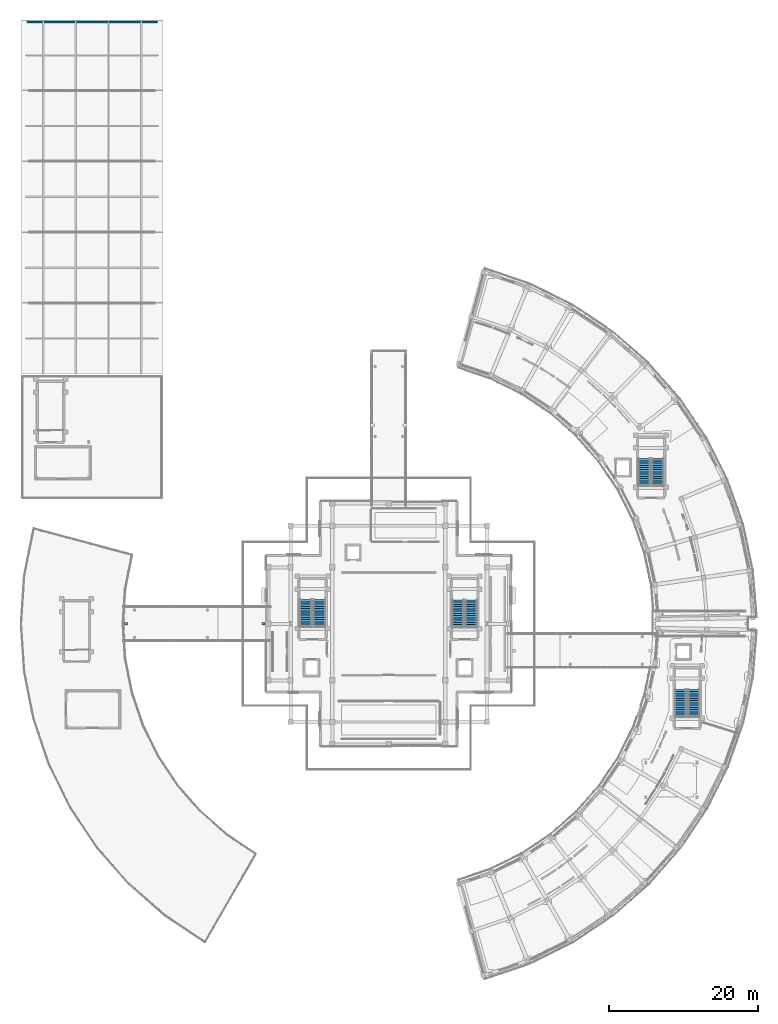
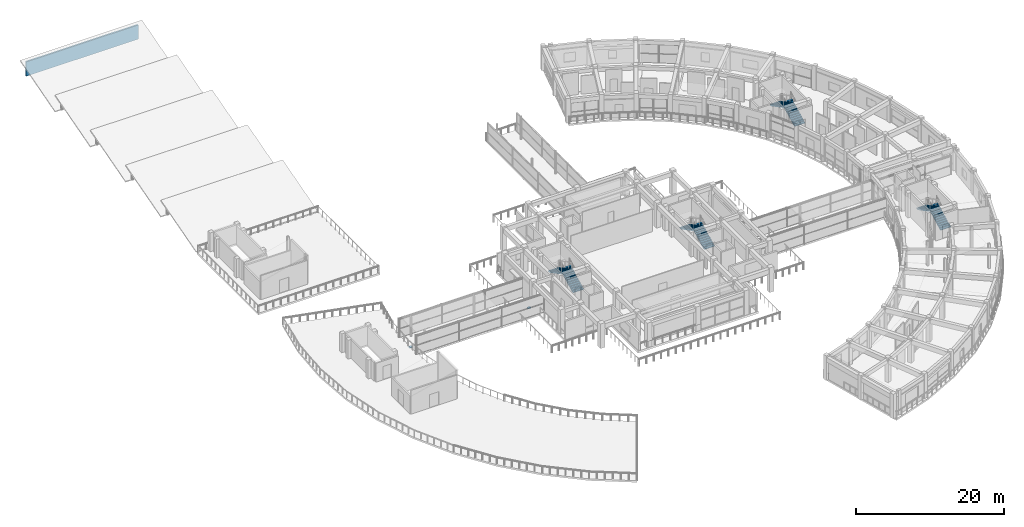
# One storey, part 40 of 53: 8 stair flights, 2 discrete accessories, 1 wall, 4 elements without a shape of their own.
"""IFC4 building model written with IfcOpenShell, lengths in metres."""

from ifc_helpers import new_model, si_unit, direction, frame, frame_2d, origin, origin_2d, place, context, subcontext, project, spatial, polyline, rectangle, outline, extrude, material, layer, layer_set, type_object, element, aggregate, save


model = new_model("IFC4")

# Units and contexts
model_context = context("Model", 3, precision=1e-05, world=origin(), true_north=direction((0.0, 1.0)))
body_context = subcontext(model_context, "Body", "Model", "MODEL_VIEW")
ifc_project = project(units=[si_unit("LENGTHUNIT", "METRE"), si_unit("AREAUNIT", "SQUARE_METRE"), si_unit("VOLUMEUNIT", "CUBIC_METRE"), si_unit("PLANEANGLEUNIT", "RADIAN"), si_unit("MASSUNIT", "GRAM", prefix="KILO")], contexts=[model_context])

# Site, building, storey
site_placement = place(None, origin())
site = spatial("IfcSite", under=ifc_project, at=site_placement, CompositionType="ELEMENT")
building_placement = place(site_placement, origin())
building = spatial("IfcBuilding", under=site, at=building_placement, Name="Saryqyr Civic Hall", CompositionType="ELEMENT")
storey_placement = place(building_placement, frame((0.0, 0.0, 21.300048828125)))
storey = spatial("IfcBuildingStorey", under=building, at=storey_placement, Name="L05", CompositionType="ELEMENT", Elevation=21.300048828125)

# Wall
ifc_material_1 = material(Name="Precast concrete C40/50", Category="concrete")
ifc_layer = layer(ifc_material_1, 0.239990234375, Name="Precast concrete C40/50")
ifc_layer_set = layer_set([ifc_layer], Name="Precast concrete C40/50")
wall_type = type_object("IfcWallType", Name="ENV-WAL-EXT-240", PredefinedType="STANDARD", material=ifc_layer_set)
wall_placement = place(storey_placement, frame((8.35009765625, 164.949951171875, 0.0), z_axis=(0.0, 0.0, 1.0), x_axis=(1.0, 0.0, 0.0)))
element("IfcWall", 1, at=wall_placement, inside=storey, type_object=wall_type, Name="Members Library sawtooth north ridge spandrel wall", PredefinedType="STANDARD", context=body_context, shape_type="SweptSolid", body=[
    extrude(rectangle(XDim=17.5, YDim=0.239990234375, at=frame_2d((8.75, 0.0))), origin(), (0.0, 0.0, 1.0), 2.349853515625),
])

# Stair, stair flights
ifc_material_2 = material(Name="Concrete C35/45", Category="concrete")
stair_type_1 = type_object("IfcStairType", Name="INT-STR-ST-1", PredefinedType="HALF_TURN_STAIR", material=ifc_material_2)
stair_1_placement = place(storey_placement, origin())
stair_1 = element("IfcStair", 2, at=stair_1_placement, inside=storey, type_object=stair_type_1, Name="L05 Protected Exit Stair ST-1", PredefinedType="HALF_TURN_STAIR")
stair_flight_type_1 = type_object("IfcStairFlightType", Name="INT-SFL-ST-1", PredefinedType="STRAIGHT", material=ifc_material_2)
stair_flight_1_placement = place(storey_placement, frame((47.675048828125, 83.64990234375, 0.0), z_axis=(0.0, 0.0, 1.0), x_axis=(0.0, 1.0, 0.0)))
stair_flight_1 = element("IfcStairFlight", 3, at=stair_flight_1_placement, type_object=stair_flight_type_1, Name="ST-1 flight 1", NumberOfRisers=13, NumberOfTreads=12, PredefinedType="STRAIGHT", RiserHeight=0.155769231, TreadLength=0.3, context=body_context, shape_type="SweptSolid", body=[
    extrude(outline(polyline([(0.0, 0.0), (0.0, 0.15576171875), (0.300048828125, 0.15576171875), (0.300048828125, 0.3115234375), (0.60009765625, 0.3115234375), (0.60009765625, 0.46728515625), (0.89990234375, 0.46728515625), (0.89990234375, 0.623046875), (1.199951171875, 0.623046875), (1.199951171875, 0.77880859375), (1.5, 0.77880859375), (1.5, 0.9345703125), (1.800048828125, 0.9345703125), (1.800048828125, 1.09033203125), (2.10009765625, 1.09033203125), (2.10009765625, 1.24609375), (2.39990234375, 1.24609375), (2.39990234375, 1.40185546875), (2.699951171875, 1.40185546875), (2.699951171875, 1.5576171875), (3.0, 1.5576171875), (3.0, 1.71337890625), (3.300048828125, 1.71337890625), (3.300048828125, 1.869140625), (3.60009765625, 1.869140625), (3.60009765625, 2.02490234375), (3.60009765625, 1.700439453125), (0.3251953125, 0.0), (0.0, 0.0)])), frame((0.0, 0.824951171875, 0.0), z_axis=(0.0, -1.0, 0.0), x_axis=(1.0, 0.0, 0.0)), (0.0, 0.0, 1.0), 1.64990234375),
])
stair_flight_2_placement = place(storey_placement, frame((45.824951171875, 87.25, 2.02490234375), z_axis=(0.0, 0.0, 1.0), x_axis=(0.0, -1.0, 0.0)))
stair_flight_2 = element("IfcStairFlight", 4, at=stair_flight_2_placement, type_object=stair_flight_type_1, Name="ST-1 flight 2", NumberOfRisers=13, NumberOfTreads=12, PredefinedType="STRAIGHT", RiserHeight=0.155769231, TreadLength=0.3, context=body_context, shape_type="SweptSolid", body=[
    extrude(outline(polyline([(0.0, 0.0), (0.0, 0.15576171875), (0.300048828125, 0.15576171875), (0.300048828125, 0.3115234375), (0.60009765625, 0.3115234375), (0.60009765625, 0.46728515625), (0.89990234375, 0.46728515625), (0.89990234375, 0.623046875), (1.199951171875, 0.623046875), (1.199951171875, 0.77880859375), (1.5, 0.77880859375), (1.5, 0.9345703125), (1.800048828125, 0.9345703125), (1.800048828125, 1.09033203125), (2.10009765625, 1.09033203125), (2.10009765625, 1.24609375), (2.39990234375, 1.24609375), (2.39990234375, 1.40185546875), (2.699951171875, 1.40185546875), (2.699951171875, 1.5576171875), (3.0, 1.5576171875), (3.0, 1.71337890625), (3.300048828125, 1.71337890625), (3.300048828125, 1.869140625), (3.60009765625, 1.869140625), (3.60009765625, 2.02490234375), (3.60009765625, 1.700439453125), (0.3251953125, 0.0), (0.0, 0.0)])), frame((0.0, 0.824951171875, 0.0), z_axis=(0.0, -1.0, 0.0), x_axis=(1.0, 0.0, 0.0)), (0.0, 0.0, 1.0), 1.64990234375),
])
aggregate(stair_1, [stair_flight_1, stair_flight_2])

stair_type_2 = type_object("IfcStairType", Name="INT-STR-ST-2", PredefinedType="HALF_TURN_STAIR", material=ifc_material_2)
stair_2_placement = place(storey_placement, origin())
stair_2 = element("IfcStair", 5, at=stair_2_placement, inside=storey, type_object=stair_type_2, Name="L05 Protected Exit Stair ST-2", PredefinedType="HALF_TURN_STAIR")
stair_flight_type_2 = type_object("IfcStairFlightType", Name="INT-SFL-ST-2", PredefinedType="STRAIGHT", material=ifc_material_2)
stair_flight_3_placement = place(storey_placement, frame((68.10009765625, 83.60009765625, 0.0), z_axis=(0.0, 0.0, 1.0), x_axis=(0.0, 1.0, 0.0)))
stair_flight_3 = element("IfcStairFlight", 6, at=stair_flight_3_placement, type_object=stair_flight_type_2, Name="ST-2 flight 1", NumberOfRisers=13, NumberOfTreads=12, PredefinedType="STRAIGHT", RiserHeight=0.155769231, TreadLength=0.3, context=body_context, shape_type="SweptSolid", body=[
    extrude(outline(polyline([(0.0, 0.0), (0.0, 0.15576171875), (0.300048828125, 0.15576171875), (0.300048828125, 0.3115234375), (0.60009765625, 0.3115234375), (0.60009765625, 0.46728515625), (0.89990234375, 0.46728515625), (0.89990234375, 0.623046875), (1.199951171875, 0.623046875), (1.199951171875, 0.77880859375), (1.5, 0.77880859375), (1.5, 0.9345703125), (1.800048828125, 0.9345703125), (1.800048828125, 1.09033203125), (2.10009765625, 1.09033203125), (2.10009765625, 1.24609375), (2.39990234375, 1.24609375), (2.39990234375, 1.40185546875), (2.699951171875, 1.40185546875), (2.699951171875, 1.5576171875), (3.0, 1.5576171875), (3.0, 1.71337890625), (3.300048828125, 1.71337890625), (3.300048828125, 1.869140625), (3.60009765625, 1.869140625), (3.60009765625, 2.02490234375), (3.60009765625, 1.700439453125), (0.3251953125, 0.0), (0.0, 0.0)])), frame((0.0, 0.800048828125, 0.0), z_axis=(0.0, -1.0, 0.0), x_axis=(1.0, 0.0, 0.0)), (0.0, 0.0, 1.0), 1.60009765625),
])
stair_flight_4_placement = place(storey_placement, frame((66.300048828125, 87.199951171875, 2.02490234375), z_axis=(0.0, 0.0, 1.0), x_axis=(0.0, -1.0, 0.0)))
stair_flight_4 = element("IfcStairFlight", 7, at=stair_flight_4_placement, type_object=stair_flight_type_2, Name="ST-2 flight 2", NumberOfRisers=13, NumberOfTreads=12, PredefinedType="STRAIGHT", RiserHeight=0.155769231, TreadLength=0.3, context=body_context, shape_type="SweptSolid", body=[
    extrude(outline(polyline([(0.0, 0.0), (0.0, 0.15576171875), (0.300048828125, 0.15576171875), (0.300048828125, 0.3115234375), (0.60009765625, 0.3115234375), (0.60009765625, 0.46728515625), (0.89990234375, 0.46728515625), (0.89990234375, 0.623046875), (1.199951171875, 0.623046875), (1.199951171875, 0.77880859375), (1.5, 0.77880859375), (1.5, 0.9345703125), (1.800048828125, 0.9345703125), (1.800048828125, 1.09033203125), (2.10009765625, 1.09033203125), (2.10009765625, 1.24609375), (2.39990234375, 1.24609375), (2.39990234375, 1.40185546875), (2.699951171875, 1.40185546875), (2.699951171875, 1.5576171875), (3.0, 1.5576171875), (3.0, 1.71337890625), (3.300048828125, 1.71337890625), (3.300048828125, 1.869140625), (3.60009765625, 1.869140625), (3.60009765625, 2.02490234375), (3.60009765625, 1.700439453125), (0.3251953125, 0.0), (0.0, 0.0)])), frame((0.0, 0.800048828125, 0.0), z_axis=(0.0, -1.0, 0.0), x_axis=(1.0, 0.0, 0.0)), (0.0, 0.0, 1.0), 1.60009765625),
])
aggregate(stair_2, [stair_flight_3, stair_flight_4])

stair_type_3 = type_object("IfcStairType", Name="INT-STR-ST-5", PredefinedType="HALF_TURN_STAIR", material=ifc_material_2)
stair_3_placement = place(storey_placement, origin())
stair_3 = element("IfcStair", 8, at=stair_3_placement, inside=storey, type_object=stair_type_3, Name="L05 Protected Exit Stair ST-5", PredefinedType="HALF_TURN_STAIR")
stair_flight_type_3 = type_object("IfcStairFlightType", Name="INT-SFL-ST-5", PredefinedType="STRAIGHT", material=ifc_material_2)
stair_flight_5_placement = place(storey_placement, frame((98.02001953125, 71.56005859375, 0.0), z_axis=(0.0, 0.0, 1.0), x_axis=(0.0, 1.0, 0.0)))
stair_flight_5 = element("IfcStairFlight", 9, at=stair_flight_5_placement, type_object=stair_flight_type_3, Name="ST-5 flight 1", NumberOfRisers=13, NumberOfTreads=12, PredefinedType="STRAIGHT", RiserHeight=0.155769231, TreadLength=0.3, context=body_context, shape_type="SweptSolid", body=[
    extrude(outline(polyline([(0.0, 0.0), (0.0, 0.15576171875), (0.300048828125, 0.15576171875), (0.300048828125, 0.3115234375), (0.60009765625, 0.3115234375), (0.60009765625, 0.46728515625), (0.89990234375, 0.46728515625), (0.89990234375, 0.623046875), (1.199951171875, 0.623046875), (1.199951171875, 0.77880859375), (1.5, 0.77880859375), (1.5, 0.9345703125), (1.800048828125, 0.9345703125), (1.800048828125, 1.09033203125), (2.10009765625, 1.09033203125), (2.10009765625, 1.24609375), (2.39990234375, 1.24609375), (2.39990234375, 1.40185546875), (2.699951171875, 1.40185546875), (2.699951171875, 1.5576171875), (3.0, 1.5576171875), (3.0, 1.71337890625), (3.300048828125, 1.71337890625), (3.300048828125, 1.869140625), (3.60009765625, 1.869140625), (3.60009765625, 2.02490234375), (3.60009765625, 1.700439453125), (0.3251953125, 0.0), (0.0, 0.0)])), frame((0.0, 0.780029296875, 0.0), z_axis=(0.0, -1.0, 0.0), x_axis=(1.0, 0.0, 0.0)), (0.0, 0.0, 1.0), 1.56005859375),
])
stair_flight_6_placement = place(storey_placement, frame((96.260009765625, 75.159912109375, 2.02490234375), z_axis=(0.0, 0.0, 1.0), x_axis=(0.0, -1.0, 0.0)))
stair_flight_6 = element("IfcStairFlight", 10, at=stair_flight_6_placement, type_object=stair_flight_type_3, Name="ST-5 flight 2", NumberOfRisers=13, NumberOfTreads=12, PredefinedType="STRAIGHT", RiserHeight=0.155769231, TreadLength=0.3, context=body_context, shape_type="SweptSolid", body=[
    extrude(outline(polyline([(0.0, 0.0), (0.0, 0.15576171875), (0.300048828125, 0.15576171875), (0.300048828125, 0.3115234375), (0.60009765625, 0.3115234375), (0.60009765625, 0.46728515625), (0.89990234375, 0.46728515625), (0.89990234375, 0.623046875), (1.199951171875, 0.623046875), (1.199951171875, 0.77880859375), (1.5, 0.77880859375), (1.5, 0.9345703125), (1.800048828125, 0.9345703125), (1.800048828125, 1.09033203125), (2.10009765625, 1.09033203125), (2.10009765625, 1.24609375), (2.39990234375, 1.24609375), (2.39990234375, 1.40185546875), (2.699951171875, 1.40185546875), (2.699951171875, 1.5576171875), (3.0, 1.5576171875), (3.0, 1.71337890625), (3.300048828125, 1.71337890625), (3.300048828125, 1.869140625), (3.60009765625, 1.869140625), (3.60009765625, 2.02490234375), (3.60009765625, 1.700439453125), (0.3251953125, 0.0), (0.0, 0.0)])), frame((0.0, 0.780029296875, 0.0), z_axis=(0.0, -1.0, 0.0), x_axis=(1.0, 0.0, 0.0)), (0.0, 0.0, 1.0), 1.56005859375),
])
aggregate(stair_3, [stair_flight_5, stair_flight_6])

stair_type_4 = type_object("IfcStairType", Name="INT-STR-ST-6", PredefinedType="HALF_TURN_STAIR", material=ifc_material_2)
stair_4_placement = place(storey_placement, origin())
stair_4 = element("IfcStair", 11, at=stair_4_placement, inside=storey, type_object=stair_type_4, Name="L05 Protected Exit Stair ST-6", PredefinedType="HALF_TURN_STAIR")
stair_flight_type_4 = type_object("IfcStairFlightType", Name="INT-SFL-ST-6", PredefinedType="STRAIGHT", material=ifc_material_2)
stair_flight_7_placement = place(storey_placement, frame((93.18994140625, 102.6201171875, 0.0), z_axis=(0.0, 0.0, 1.0), x_axis=(0.0, 1.0, 0.0)))
stair_flight_7 = element("IfcStairFlight", 12, at=stair_flight_7_placement, type_object=stair_flight_type_4, Name="ST-6 flight 1", NumberOfRisers=13, NumberOfTreads=12, PredefinedType="STRAIGHT", RiserHeight=0.155769231, TreadLength=0.3, context=body_context, shape_type="SweptSolid", body=[
    extrude(outline(polyline([(0.0, 0.0), (0.0, 0.15576171875), (0.300048828125, 0.15576171875), (0.300048828125, 0.3115234375), (0.60009765625, 0.3115234375), (0.60009765625, 0.46728515625), (0.89990234375, 0.46728515625), (0.89990234375, 0.623046875), (1.199951171875, 0.623046875), (1.199951171875, 0.77880859375), (1.5, 0.77880859375), (1.5, 0.9345703125), (1.800048828125, 0.9345703125), (1.800048828125, 1.09033203125), (2.10009765625, 1.09033203125), (2.10009765625, 1.24609375), (2.39990234375, 1.24609375), (2.39990234375, 1.40185546875), (2.699951171875, 1.40185546875), (2.699951171875, 1.5576171875), (3.0, 1.5576171875), (3.0, 1.71337890625), (3.300048828125, 1.71337890625), (3.300048828125, 1.869140625), (3.60009765625, 1.869140625), (3.60009765625, 2.02490234375), (3.60009765625, 1.700439453125), (0.3251953125, 0.0), (0.0, 0.0)])), frame((0.0, 0.81005859375, 0.0), z_axis=(0.0, -1.0, 0.0), x_axis=(1.0, 0.0, 0.0)), (0.0, 0.0, 1.0), 1.6201171875),
])
stair_flight_8_placement = place(storey_placement, frame((91.3701171875, 106.219970703125, 2.02490234375), z_axis=(0.0, 0.0, 1.0), x_axis=(0.0, -1.0, 0.0)))
stair_flight_8 = element("IfcStairFlight", 13, at=stair_flight_8_placement, type_object=stair_flight_type_4, Name="ST-6 flight 2", NumberOfRisers=13, NumberOfTreads=12, PredefinedType="STRAIGHT", RiserHeight=0.155769231, TreadLength=0.3, context=body_context, shape_type="SweptSolid", body=[
    extrude(outline(polyline([(0.0, 0.0), (0.0, 0.15576171875), (0.300048828125, 0.15576171875), (0.300048828125, 0.3115234375), (0.60009765625, 0.3115234375), (0.60009765625, 0.46728515625), (0.89990234375, 0.46728515625), (0.89990234375, 0.623046875), (1.199951171875, 0.623046875), (1.199951171875, 0.77880859375), (1.5, 0.77880859375), (1.5, 0.9345703125), (1.800048828125, 0.9345703125), (1.800048828125, 1.09033203125), (2.10009765625, 1.09033203125), (2.10009765625, 1.24609375), (2.39990234375, 1.24609375), (2.39990234375, 1.40185546875), (2.699951171875, 1.40185546875), (2.699951171875, 1.5576171875), (3.0, 1.5576171875), (3.0, 1.71337890625), (3.300048828125, 1.71337890625), (3.300048828125, 1.869140625), (3.60009765625, 1.869140625), (3.60009765625, 2.02490234375), (3.60009765625, 1.700439453125), (0.3251953125, 0.0), (0.0, 0.0)])), frame((0.0, 0.81005859375, 0.0), z_axis=(0.0, -1.0, 0.0), x_axis=(1.0, 0.0, 0.0)), (0.0, 0.0, 1.0), 1.6201171875),
])
aggregate(stair_4, [stair_flight_7, stair_flight_8])

# Discrete accessories
ifc_material_3 = material(Name="Steel S355", Category="steel")
discrete_accessory_type = type_object("IfcDiscreteAccessoryType", Name="STR-ACC-PTFE-BRG", PredefinedType="BRACKET", material=ifc_material_3)
for number, where, z_axis, x_axis, name in (
    (14, (21.64990234375, 84.0, -0.35986328125), (0.0, 0.0, 1.0), (1.0, 0.0, 0.0), "Unguided PTFE sliding bridge bearing BR-CW L05 1"),
    (15, (40.14990234375, 84.0, -0.35986328125), (0.0, 0.0, 1.0), (1.0, 0.0, 0.0), "Unguided PTFE sliding bridge bearing BR-CW L05 2"),
):
    element("IfcDiscreteAccessory", number, at=place(storey_placement, frame(where, z_axis=z_axis, x_axis=x_axis)), inside=storey, type_object=discrete_accessory_type, Name=name, PredefinedType="BRACKET", context=body_context, shape_type="SweptSolid", body=[
        extrude(rectangle(XDim=0.449951171875, YDim=0.35009765625, at=origin_2d()), origin(), (0.0, 0.0, 1.0), 0.139892578125),
    ])

save(model, "model.ifc")
